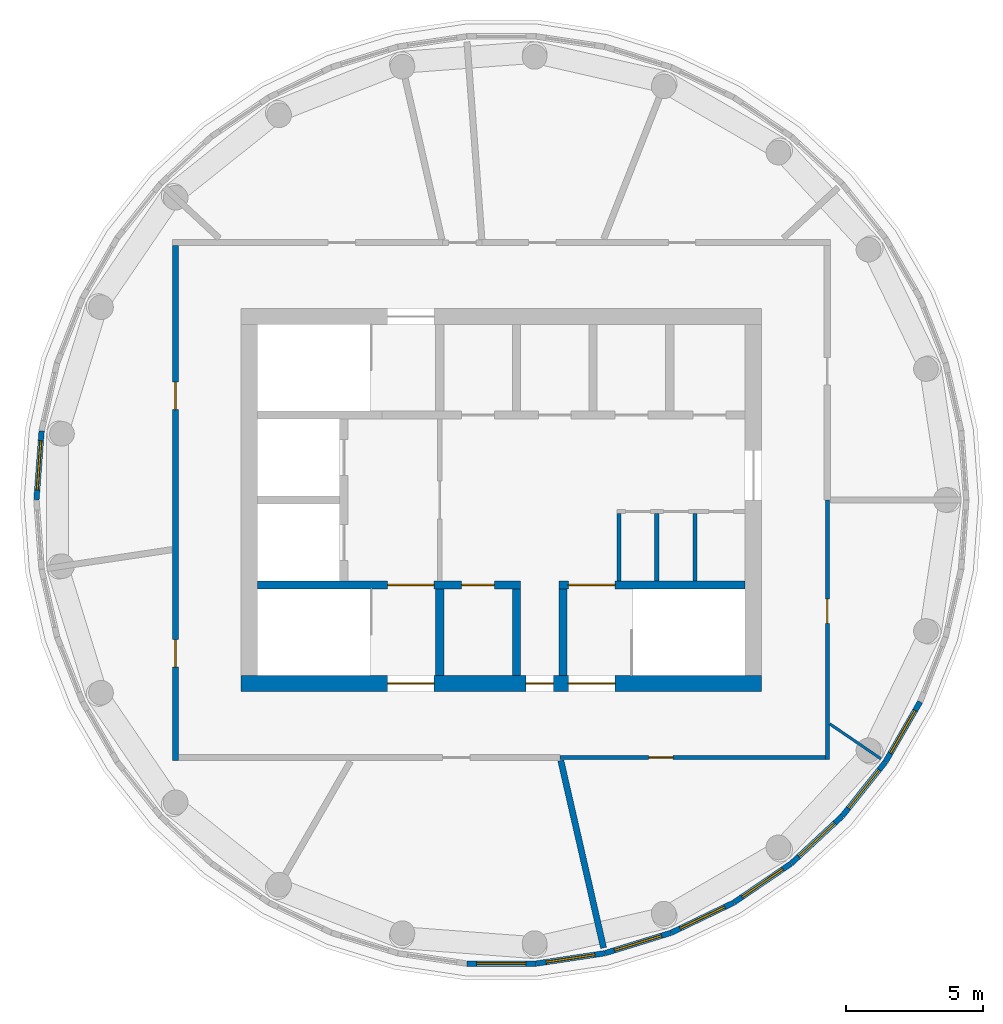
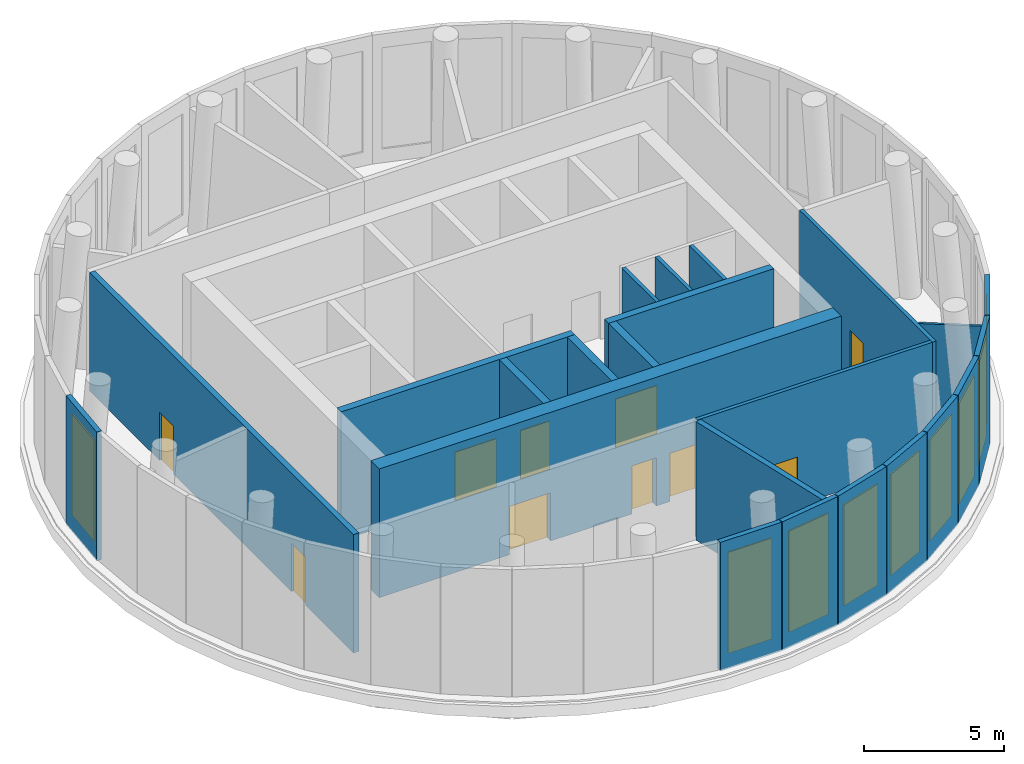
# One storey, part 2 of 6: 23 walls, 10 doors, 9 windows, 19 openings.
"""IFC4 building model written with IfcOpenShell, lengths in metres."""

from ifc_helpers import new_model, si_unit, direction, frame, frame_2d, origin, place, context, subcontext, project, spatial, rectangle, extrude, material, layer, layer_set, type_object, element, fill, save


model = new_model("IFC4")

# Units and contexts
model_context = context("Model", 3, precision=1e-05, world=origin(), true_north=direction((0.0, 1.0)))
body_context = subcontext(model_context, "Body", "Model", "MODEL_VIEW")
ifc_project = project(units=[si_unit("LENGTHUNIT", "METRE"), si_unit("AREAUNIT", "SQUARE_METRE"), si_unit("VOLUMEUNIT", "CUBIC_METRE"), si_unit("PLANEANGLEUNIT", "RADIAN"), si_unit("MASSUNIT", "GRAM", prefix="KILO")], contexts=[model_context])

# Site, building, storey
site_placement = place(None, origin())
site = spatial("IfcSite", under=ifc_project, at=site_placement, CompositionType="ELEMENT")
building_placement = place(site_placement, origin())
building = spatial("IfcBuilding", under=site, at=building_placement, Name="Tracery Tower", CompositionType="ELEMENT")
storey_placement = place(building_placement, frame((0.0, 0.0, 358.199951171875)))
storey = spatial("IfcBuildingStorey", under=building, at=storey_placement, Name="L91 Plant", CompositionType="ELEMENT", Elevation=358.199951171875)

# Walls
ifc_material_1 = material(Name="Plasterboard on steel studs", Category="steel")
ifc_layer_1 = layer(ifc_material_1, 0.14990234375)
ifc_layer_set_1 = layer_set([ifc_layer_1], Name="Core room partition 150")
wall_type_1 = type_object("IfcWallType", Name="Core room partition 150", PredefinedType="SOLIDWALL", material=ifc_layer_set_1)
for number, where, z_axis, x_axis, name in (
    (1, (4.300048828125, -2.949951171875, 0.0), (0.0, 0.0, 1.0), (0.0, 1.0, 0.0), "L91 Plant slot W"),
    (2, (5.675048828125, -2.949951171875, 0.0), (0.0, 0.0, 1.0), (0.0, 1.0, 0.0), "L91 Plant slot sep 1"),
    (3, (7.074951171875, -2.949951171875, 0.0), (0.0, 0.0, 1.0), (0.0, 1.0, 0.0), "L91 Plant slot sep 2"),
):
    element("IfcWall", number, at=place(storey_placement, frame(where, z_axis=z_axis, x_axis=x_axis)), inside=storey, type_object=wall_type_1, Name=name, PredefinedType="SOLIDWALL", context=body_context, shape_type="SweptSolid", body=[
        extrude(rectangle(XDim=2.449951171875, YDim=0.14990234375, at=frame_2d((1.22509765625, 0.0))), origin(), (0.0, 0.0, 1.0), 5.60009765625),
    ])

# Wall, openings, doors
ifc_material_2 = material(Name="Concrete C40/50", Category="concrete")
ifc_layer_2 = layer(ifc_material_2, 0.60009765625)
ifc_layer_set_2 = layer_set([ifc_layer_2], Name="Core wall 600 C40")
wall_type_2 = type_object("IfcWallType", Name="Core wall 600 C40", PredefinedType="SOLIDWALL", material=ifc_layer_set_2)
wall_1_placement = place(storey_placement, frame((-9.5, -6.699951171875, 0.0), z_axis=(0.0, 0.0, 1.0), x_axis=(1.0, 0.0, 0.0)))
wall_1 = element("IfcWall", 4, at=wall_1_placement, inside=storey, type_object=wall_type_2, Name="L91 Plant outer S", PredefinedType="SOLIDWALL", context=body_context, shape_type="SweptSolid", body=[
    extrude(rectangle(XDim=19.0, YDim=0.60009765625, at=frame_2d((9.5, 0.0))), origin(), (0.0, 0.0, 1.0), 5.60009765625),
])
opening_1_placement = place(wall_1_placement, frame((10.39990234375, 0.0, 0.0)))
opening_1 = element("IfcOpeningElement", 5, at=opening_1_placement, cuts=wall_1, Name="Opening KD16", PredefinedType="OPENING", context=body_context, shape_type="SweptSolid", body=[
    extrude(rectangle(XDim=1.0, YDim=2.10009765625, at=frame_2d((0.5, 1.050048828125))), frame((0.0, 0.300048828125, 0.0), z_axis=(0.0, -1.0, 0.0), x_axis=(1.0, 0.0, 0.0)), (0.0, 0.0, 1.0), 0.60009765625),
])
opening_2_placement = place(wall_1_placement, frame((5.35009765625, 0.0, 0.0)))
opening_2 = element("IfcOpeningElement", 6, at=opening_2_placement, cuts=wall_1, Name="Opening KD3", PredefinedType="OPENING", context=body_context, shape_type="SweptSolid", body=[
    extrude(rectangle(XDim=1.699951171875, YDim=2.10009765625, at=frame_2d((0.85009765625, 1.050048828125))), frame((0.0, 0.300048828125, 0.0), z_axis=(0.0, -1.0, 0.0), x_axis=(1.0, 0.0, 0.0)), (0.0, 0.0, 1.0), 0.60009765625),
])
opening_3_placement = place(wall_1_placement, frame((11.949951171875, 0.0, 0.0)))
opening_3 = element("IfcOpeningElement", 7, at=opening_3_placement, cuts=wall_1, Name="Opening KD3", PredefinedType="OPENING", context=body_context, shape_type="SweptSolid", body=[
    extrude(rectangle(XDim=1.699951171875, YDim=2.10009765625, at=frame_2d((0.85009765625, 1.050048828125))), frame((0.0, 0.300048828125, 0.0), z_axis=(0.0, -1.0, 0.0), x_axis=(1.0, 0.0, 0.0)), (0.0, 0.0, 1.0), 0.60009765625),
])
ifc_material_3 = material(Name="Steel fire door", Category="steel")
door_type_1 = type_object("IfcDoorType", Name="Core exit door 1000", OperationType="NOTDEFINED", PredefinedType="DOOR", material=ifc_material_3)
door_1_placement = place(opening_1_placement, origin())
door_1 = element("IfcDoor", 8, at=door_1_placement, inside=storey, type_object=door_type_1, Name="Core exit door", OperationType="SINGLE_SWING_LEFT", OverallHeight=2.10009765625, OverallWidth=1.0, PredefinedType="DOOR", context=body_context, shape_type="SweptSolid", body=[
    extrude(rectangle(XDim=1.0, YDim=2.10009765625, at=frame_2d((0.5, 1.050048828125))), frame((0.0, 0.02490234375, 0.0), z_axis=(0.0, -1.0, 0.0), x_axis=(1.0, 0.0, 0.0)), (0.0, 0.0, 1.0), 0.050048828125),
])
fill(opening_1, door_1)
ifc_material_4 = material(Name="Steel fire door", Category="steel")
door_type_2 = type_object("IfcDoorType", Name="Core stair door 1700 double", OperationType="NOTDEFINED", PredefinedType="DOOR", material=ifc_material_4)
door_2_placement = place(opening_2_placement, origin())
door_2 = element("IfcDoor", 9, at=door_2_placement, inside=storey, type_object=door_type_2, Name="Stair door ST1 exit", OperationType="DOUBLE_DOOR_SINGLE_SWING", OverallHeight=2.10009765625, OverallWidth=1.699951171875, PredefinedType="DOOR", context=body_context, shape_type="SweptSolid", body=[
    extrude(rectangle(XDim=1.699951171875, YDim=2.10009765625, at=frame_2d((0.85009765625, 1.050048828125))), frame((0.0, 0.02490234375, 0.0), z_axis=(0.0, -1.0, 0.0), x_axis=(1.0, 0.0, 0.0)), (0.0, 0.0, 1.0), 0.050048828125),
])
fill(opening_2, door_2)
door_3_placement = place(opening_3_placement, origin())
door_3 = element("IfcDoor", 10, at=door_3_placement, inside=storey, type_object=door_type_2, Name="Stair door ST2 exit", OperationType="DOUBLE_DOOR_SINGLE_SWING", OverallHeight=2.10009765625, OverallWidth=1.699951171875, PredefinedType="DOOR", context=body_context, shape_type="SweptSolid", body=[
    extrude(rectangle(XDim=1.699951171875, YDim=2.10009765625, at=frame_2d((0.85009765625, 1.050048828125))), frame((0.0, 0.02490234375, 0.0), z_axis=(0.0, -1.0, 0.0), x_axis=(1.0, 0.0, 0.0)), (0.0, 0.0, 1.0), 0.050048828125),
])
fill(opening_3, door_3)

# Wall, opening, door
ifc_material_5 = material(Name="Plasterboard on steel studs", Category="steel")
ifc_layer_3 = layer(ifc_material_5, 0.14990234375)
ifc_layer_set_3 = layer_set([ifc_layer_3], Name="Corridor partition 150")
wall_type_3 = type_object("IfcWallType", Name="Corridor partition 150", PredefinedType="PARTITIONING", material=ifc_layer_set_3)
wall_2_placement = place(storey_placement, frame((2.1455078125, -9.39990234375, 0.0), z_axis=(0.0, 0.0, 1.0), x_axis=(1.0, 0.0, 0.0)))
wall_2 = element("IfcWall", 11, at=wall_2_placement, inside=storey, type_object=wall_type_3, Name="Corridor partition 150", PredefinedType="PARTITIONING", context=body_context, shape_type="SweptSolid", body=[
    extrude(rectangle(XDim=9.679443359375, YDim=0.14990234375, at=frame_2d((4.83984375, 0.0))), origin(), (0.0, 0.0, 1.0), 5.150146484375),
])
opening_4_placement = place(wall_2_placement, frame((3.227294921875, 0.0, 0.0)))
opening_4 = element("IfcOpeningElement", 12, at=opening_4_placement, cuts=wall_2, Name="Opening SB-P91-09", PredefinedType="OPENING", context=body_context, shape_type="SweptSolid", body=[
    extrude(rectangle(XDim=0.89990234375, YDim=2.10009765625, at=frame_2d((0.449951171875, 1.050048828125))), frame((0.0, 0.074951171875, 0.0), z_axis=(0.0, -1.0, 0.0), x_axis=(1.0, 0.0, 0.0)), (0.0, 0.0, 1.0), 0.14990234375),
])
ifc_material_6 = material(Name="Steel fire door", Category="steel")
door_type_3 = type_object("IfcDoorType", Name="Store door 900", OperationType="NOTDEFINED", PredefinedType="DOOR", material=ifc_material_6)
door_4_placement = place(opening_4_placement, origin())
door_4 = element("IfcDoor", 13, at=door_4_placement, inside=storey, type_object=door_type_3, Name="Store door 900", OperationType="SINGLE_SWING_LEFT", OverallHeight=2.10009765625, OverallWidth=0.89990234375, PredefinedType="DOOR", context=body_context, shape_type="SweptSolid", body=[
    extrude(rectangle(XDim=0.89990234375, YDim=2.10009765625, at=frame_2d((0.449951171875, 1.050048828125))), frame((0.0, 0.02490234375, 0.0), z_axis=(0.0, -1.0, 0.0), x_axis=(1.0, 0.0, 0.0)), (0.0, 0.0, 1.0), 0.050048828125),
])
fill(opening_4, door_4)

wall_3_placement = place(storey_placement, frame((11.89990234375, -9.47509765625, 0.0), z_axis=(0.0, 0.0, 1.0), x_axis=(0.0, 1.0, 0.0)))
wall_3 = element("IfcWall", 14, at=wall_3_placement, inside=storey, type_object=wall_type_3, Name="Corridor partition 150", PredefinedType="PARTITIONING", context=body_context, shape_type="SweptSolid", body=[
    extrude(rectangle(XDim=9.47509765625, YDim=0.14990234375, at=frame_2d((4.737548828125, 0.0))), origin(), (0.0, 0.0, 1.0), 5.150146484375),
])
opening_5_placement = place(wall_3_placement, frame((4.96826171875, 0.0, 0.0)))
opening_5 = element("IfcOpeningElement", 15, at=opening_5_placement, cuts=wall_3, Name="Opening SB-P91-10", PredefinedType="OPENING", context=body_context, shape_type="SweptSolid", body=[
    extrude(rectangle(XDim=0.89990234375, YDim=2.10009765625, at=frame_2d((0.449951171875, 1.050048828125))), frame((0.0, 0.074951171875, 0.0), z_axis=(0.0, -1.0, 0.0), x_axis=(1.0, 0.0, 0.0)), (0.0, 0.0, 1.0), 0.14990234375),
])
door_5_placement = place(opening_5_placement, origin())
door_5 = element("IfcDoor", 16, at=door_5_placement, inside=storey, type_object=door_type_3, Name="Store door 900", OperationType="SINGLE_SWING_LEFT", OverallHeight=2.10009765625, OverallWidth=0.89990234375, PredefinedType="DOOR", context=body_context, shape_type="SweptSolid", body=[
    extrude(rectangle(XDim=0.89990234375, YDim=2.10009765625, at=frame_2d((0.449951171875, 1.050048828125))), frame((0.0, 0.02490234375, 0.0), z_axis=(0.0, -1.0, 0.0), x_axis=(1.0, 0.0, 0.0)), (0.0, 0.0, 1.0), 0.050048828125),
])
fill(opening_5, door_5)

# Wall, opening, window
ifc_material_7 = material(Name="Aluminium louvre, bronze anodised", Category="aluminium")
ifc_layer_4 = layer(ifc_material_7, 0.199951171875)
ifc_layer_set_4 = layer_set([ifc_layer_4], Name="Plant drum louvre wall 200")
wall_type_4 = type_object("IfcWallType", Name="Plant drum louvre wall 200", PredefinedType="STANDARD", material=ifc_layer_set_4)
wall_4_placement = place(storey_placement, frame((-16.782958984375, 2.52099609375, 0.0), z_axis=(0.0, 0.0, 1.0), x_axis=(-0.074710452078, -0.997205268914, 0.0)))
wall_4 = element("IfcWall", 17, at=wall_4_placement, inside=storey, type_object=wall_type_4, Name="Plant drum louvre wall 21", PredefinedType="STANDARD", context=body_context, shape_type="SweptSolid", body=[
    extrude(rectangle(XDim=2.51953125, YDim=0.199951171875, at=frame_2d((1.259765625, 0.0))), origin(), (0.0, 0.0, 1.0), 5.60009765625),
])
opening_6_placement = place(wall_4_placement, frame((0.35986328125, 0.0, 0.60009765625)))
opening_6 = element("IfcOpeningElement", 18, at=opening_6_placement, cuts=wall_4, Name="Opening EW861", PredefinedType="OPENING", context=body_context, shape_type="SweptSolid", body=[
    extrude(rectangle(XDim=1.800048828125, YDim=4.39990234375, at=frame_2d((0.89990234375, 2.199951171875))), frame((0.0, 0.10009765625, 0.0), z_axis=(0.0, -1.0, 0.0), x_axis=(1.0, 0.0, 0.0)), (0.0, 0.0, 1.0), 0.199951171875),
])
ifc_material_8 = material(Name="Aluminium louvre, bronze anodised", Category="aluminium")
window_type = type_object("IfcWindowType", Name="Plant drum louvre 1800 x 4400", PartitioningType="SINGLE_PANEL", PredefinedType="WINDOW", material=ifc_material_8)
window_1_placement = place(opening_6_placement, origin())
window_1 = element("IfcWindow", 19, at=window_1_placement, inside=storey, type_object=window_type, Name="Plant drum louvre EW861", OverallHeight=4.39990234375, OverallWidth=1.800048828125, PartitioningType="SINGLE_PANEL", PredefinedType="WINDOW", context=body_context, shape_type="SweptSolid", body=[
    extrude(rectangle(XDim=1.800048828125, YDim=4.39990234375, at=frame_2d((0.89990234375, 2.199951171875))), frame((0.0, 0.030029296875, 0.0), z_axis=(0.0, -1.0, 0.0), x_axis=(1.0, 0.0, 0.0)), (0.0, 0.0, 1.0), 0.06005859375),
])
fill(opening_6, window_1)

wall_5_placement = place(storey_placement, frame((-1.259765625, -16.924560546875, 0.0), z_axis=(0.0, 0.0, 1.0), x_axis=(1.0, 0.0, 0.0)))
wall_5 = element("IfcWall", 20, at=wall_5_placement, inside=storey, type_object=wall_type_4, Name="Plant drum louvre wall 32", PredefinedType="STANDARD", context=body_context, shape_type="SweptSolid", body=[
    extrude(rectangle(XDim=2.51953125, YDim=0.199951171875, at=frame_2d((1.259765625, 0.0))), origin(), (0.0, 0.0, 1.0), 5.60009765625),
])
opening_7_placement = place(wall_5_placement, frame((0.35986328125, 0.0, 0.60009765625)))
opening_7 = element("IfcOpeningElement", 21, at=opening_7_placement, cuts=wall_5, Name="Opening EW872", PredefinedType="OPENING", context=body_context, shape_type="SweptSolid", body=[
    extrude(rectangle(XDim=1.800048828125, YDim=4.39990234375, at=frame_2d((0.89990234375, 2.199951171875))), frame((0.0, 0.10009765625, 0.0), z_axis=(0.0, -1.0, 0.0), x_axis=(1.0, 0.0, 0.0)), (0.0, 0.0, 1.0), 0.199951171875),
])
window_2_placement = place(opening_7_placement, origin())
window_2 = element("IfcWindow", 22, at=window_2_placement, inside=storey, type_object=window_type, Name="Plant drum louvre EW872", OverallHeight=4.39990234375, OverallWidth=1.800048828125, PartitioningType="SINGLE_PANEL", PredefinedType="WINDOW", context=body_context, shape_type="SweptSolid", body=[
    extrude(rectangle(XDim=1.800048828125, YDim=4.39990234375, at=frame_2d((0.89990234375, 2.199951171875))), frame((0.0, 0.030029296875, 0.0), z_axis=(0.0, -1.0, 0.0), x_axis=(1.0, 0.0, 0.0)), (0.0, 0.0, 1.0), 0.06005859375),
])
fill(opening_7, window_2)

wall_6_placement = place(storey_placement, frame((1.276611328125, -16.923095703125, 0.0), z_axis=(0.0, 0.0, 1.0), x_axis=(0.98883520928, 0.149013183605, 0.0)))
wall_6 = element("IfcWall", 23, at=wall_6_placement, inside=storey, type_object=wall_type_4, Name="Plant drum louvre wall 33", PredefinedType="STANDARD", context=body_context, shape_type="SweptSolid", body=[
    extrude(rectangle(XDim=2.519775390625, YDim=0.199951171875, at=frame_2d((1.259765625, 0.0))), origin(), (0.0, 0.0, 1.0), 5.60009765625),
])
opening_8_placement = place(wall_6_placement, frame((0.35986328125, 0.0, 0.60009765625)))
opening_8 = element("IfcOpeningElement", 24, at=opening_8_placement, cuts=wall_6, Name="Opening EW873", PredefinedType="OPENING", context=body_context, shape_type="SweptSolid", body=[
    extrude(rectangle(XDim=1.800048828125, YDim=4.39990234375, at=frame_2d((0.89990234375, 2.199951171875))), frame((0.0, 0.10009765625, 0.0), z_axis=(0.0, -1.0, 0.0), x_axis=(1.0, 0.0, 0.0)), (0.0, 0.0, 1.0), 0.199951171875),
])
window_3_placement = place(opening_8_placement, origin())
window_3 = element("IfcWindow", 25, at=window_3_placement, inside=storey, type_object=window_type, Name="Plant drum louvre EW873", OverallHeight=4.39990234375, OverallWidth=1.800048828125, PartitioningType="SINGLE_PANEL", PredefinedType="WINDOW", context=body_context, shape_type="SweptSolid", body=[
    extrude(rectangle(XDim=1.800048828125, YDim=4.39990234375, at=frame_2d((0.89990234375, 2.199951171875))), frame((0.0, 0.030029296875, 0.0), z_axis=(0.0, -1.0, 0.0), x_axis=(1.0, 0.0, 0.0)), (0.0, 0.0, 1.0), 0.06005859375),
])
fill(opening_8, window_3)

wall_7_placement = place(storey_placement, frame((3.78466796875, -16.5439453125, 0.0), z_axis=(0.0, 0.0, 1.0), x_axis=(0.955573464233, 0.294753039769, 0.0)))
wall_7 = element("IfcWall", 26, at=wall_7_placement, inside=storey, type_object=wall_type_4, Name="Plant drum louvre wall 34", PredefinedType="STANDARD", context=body_context, shape_type="SweptSolid", body=[
    extrude(rectangle(XDim=2.519775390625, YDim=0.199951171875, at=frame_2d((1.259765625, 0.0))), origin(), (0.0, 0.0, 1.0), 5.60009765625),
])
opening_9_placement = place(wall_7_placement, frame((0.35986328125, 0.0, 0.60009765625)))
opening_9 = element("IfcOpeningElement", 27, at=opening_9_placement, cuts=wall_7, Name="Opening EW874", PredefinedType="OPENING", context=body_context, shape_type="SweptSolid", body=[
    extrude(rectangle(XDim=1.800048828125, YDim=4.39990234375, at=frame_2d((0.89990234375, 2.199951171875))), frame((0.0, 0.10009765625, 0.0), z_axis=(0.0, -1.0, 0.0), x_axis=(1.0, 0.0, 0.0)), (0.0, 0.0, 1.0), 0.199951171875),
])
window_4_placement = place(opening_9_placement, origin())
window_4 = element("IfcWindow", 28, at=window_4_placement, inside=storey, type_object=window_type, Name="Plant drum louvre EW874", OverallHeight=4.39990234375, OverallWidth=1.800048828125, PartitioningType="SINGLE_PANEL", PredefinedType="WINDOW", context=body_context, shape_type="SweptSolid", body=[
    extrude(rectangle(XDim=1.800048828125, YDim=4.39990234375, at=frame_2d((0.89990234375, 2.199951171875))), frame((0.0, 0.030029296875, 0.0), z_axis=(0.0, -1.0, 0.0), x_axis=(1.0, 0.0, 0.0)), (0.0, 0.0, 1.0), 0.06005859375),
])
fill(opening_9, window_4)

wall_8_placement = place(storey_placement, frame((6.208251953125, -15.794921875, 0.0), z_axis=(0.0, 0.0, 1.0), x_axis=(0.900994655578, 0.433830186387, 0.0)))
wall_8 = element("IfcWall", 29, at=wall_8_placement, inside=storey, type_object=wall_type_4, Name="Plant drum louvre wall 35", PredefinedType="STANDARD", context=body_context, shape_type="SweptSolid", body=[
    extrude(rectangle(XDim=2.51953125, YDim=0.199951171875, at=frame_2d((1.259765625, 0.0))), origin(), (0.0, 0.0, 1.0), 5.60009765625),
])
opening_10_placement = place(wall_8_placement, frame((0.35986328125, 0.0, 0.60009765625)))
opening_10 = element("IfcOpeningElement", 30, at=opening_10_placement, cuts=wall_8, Name="Opening EW875", PredefinedType="OPENING", context=body_context, shape_type="SweptSolid", body=[
    extrude(rectangle(XDim=1.800048828125, YDim=4.39990234375, at=frame_2d((0.89990234375, 2.199951171875))), frame((0.0, 0.10009765625, 0.0), z_axis=(0.0, -1.0, 0.0), x_axis=(1.0, 0.0, 0.0)), (0.0, 0.0, 1.0), 0.199951171875),
])
window_5_placement = place(opening_10_placement, origin())
window_5 = element("IfcWindow", 31, at=window_5_placement, inside=storey, type_object=window_type, Name="Plant drum louvre EW875", OverallHeight=4.39990234375, OverallWidth=1.800048828125, PartitioningType="SINGLE_PANEL", PredefinedType="WINDOW", context=body_context, shape_type="SweptSolid", body=[
    extrude(rectangle(XDim=1.800048828125, YDim=4.39990234375, at=frame_2d((0.89990234375, 2.199951171875))), frame((0.0, 0.030029296875, 0.0), z_axis=(0.0, -1.0, 0.0), x_axis=(1.0, 0.0, 0.0)), (0.0, 0.0, 1.0), 0.06005859375),
])
fill(opening_10, window_5)

wall_9_placement = place(storey_placement, frame((8.492919921875, -14.693359375, 0.0), z_axis=(0.0, 0.0, 1.0), x_axis=(0.826221192882, 0.563345844426, 0.0)))
wall_9 = element("IfcWall", 32, at=wall_9_placement, inside=storey, type_object=wall_type_4, Name="Plant drum louvre wall 36", PredefinedType="STANDARD", context=body_context, shape_type="SweptSolid", body=[
    extrude(rectangle(XDim=2.51953125, YDim=0.199951171875, at=frame_2d((1.259765625, 0.0))), origin(), (0.0, 0.0, 1.0), 5.60009765625),
])
opening_11_placement = place(wall_9_placement, frame((0.35986328125, 0.0, 0.60009765625)))
opening_11 = element("IfcOpeningElement", 33, at=opening_11_placement, cuts=wall_9, Name="Opening EW876", PredefinedType="OPENING", context=body_context, shape_type="SweptSolid", body=[
    extrude(rectangle(XDim=1.800048828125, YDim=4.39990234375, at=frame_2d((0.89990234375, 2.199951171875))), frame((0.0, 0.10009765625, 0.0), z_axis=(0.0, -1.0, 0.0), x_axis=(1.0, 0.0, 0.0)), (0.0, 0.0, 1.0), 0.199951171875),
])
window_6_placement = place(opening_11_placement, origin())
window_6 = element("IfcWindow", 34, at=window_6_placement, inside=storey, type_object=window_type, Name="Plant drum louvre EW876", OverallHeight=4.39990234375, OverallWidth=1.800048828125, PartitioningType="SINGLE_PANEL", PredefinedType="WINDOW", context=body_context, shape_type="SweptSolid", body=[
    extrude(rectangle(XDim=1.800048828125, YDim=4.39990234375, at=frame_2d((0.89990234375, 2.199951171875))), frame((0.0, 0.030029296875, 0.0), z_axis=(0.0, -1.0, 0.0), x_axis=(1.0, 0.0, 0.0)), (0.0, 0.0, 1.0), 0.06005859375),
])
fill(opening_11, window_6)

wall_10_placement = place(storey_placement, frame((10.587890625, -13.263427734375, 0.0), z_axis=(0.0, 0.0, 1.0), x_axis=(0.733062600056, 0.68016117531, 0.0)))
wall_10 = element("IfcWall", 35, at=wall_10_placement, inside=storey, type_object=wall_type_4, Name="Plant drum louvre wall 37", PredefinedType="STANDARD", context=body_context, shape_type="SweptSolid", body=[
    extrude(rectangle(XDim=2.519775390625, YDim=0.199951171875, at=frame_2d((1.259765625, 0.0))), origin(), (0.0, 0.0, 1.0), 5.60009765625),
])
opening_12_placement = place(wall_10_placement, frame((0.35986328125, 0.0, 0.60009765625)))
opening_12 = element("IfcOpeningElement", 36, at=opening_12_placement, cuts=wall_10, Name="Opening EW877", PredefinedType="OPENING", context=body_context, shape_type="SweptSolid", body=[
    extrude(rectangle(XDim=1.800048828125, YDim=4.39990234375, at=frame_2d((0.89990234375, 2.199951171875))), frame((0.0, 0.10009765625, 0.0), z_axis=(0.0, -1.0, 0.0), x_axis=(1.0, 0.0, 0.0)), (0.0, 0.0, 1.0), 0.199951171875),
])
window_7_placement = place(opening_12_placement, origin())
window_7 = element("IfcWindow", 37, at=window_7_placement, inside=storey, type_object=window_type, Name="Plant drum louvre EW877", OverallHeight=4.39990234375, OverallWidth=1.800048828125, PartitioningType="SINGLE_PANEL", PredefinedType="WINDOW", context=body_context, shape_type="SweptSolid", body=[
    extrude(rectangle(XDim=1.800048828125, YDim=4.39990234375, at=frame_2d((0.89990234375, 2.199951171875))), frame((0.0, 0.030029296875, 0.0), z_axis=(0.0, -1.0, 0.0), x_axis=(1.0, 0.0, 0.0)), (0.0, 0.0, 1.0), 0.06005859375),
])
fill(opening_12, window_7)

wall_11_placement = place(storey_placement, frame((12.446533203125, -11.537109375, 0.0), z_axis=(0.0, 0.0, 1.0), x_axis=(0.623548124622, 0.781784968057, 0.0)))
wall_11 = element("IfcWall", 38, at=wall_11_placement, inside=storey, type_object=wall_type_4, Name="Plant drum louvre wall 38", PredefinedType="STANDARD", context=body_context, shape_type="SweptSolid", body=[
    extrude(rectangle(XDim=2.51953125, YDim=0.199951171875, at=frame_2d((1.259765625, 0.0))), origin(), (0.0, 0.0, 1.0), 5.60009765625),
])
opening_13_placement = place(wall_11_placement, frame((0.35986328125, 0.0, 0.60009765625)))
opening_13 = element("IfcOpeningElement", 39, at=opening_13_placement, cuts=wall_11, Name="Opening EW878", PredefinedType="OPENING", context=body_context, shape_type="SweptSolid", body=[
    extrude(rectangle(XDim=1.800048828125, YDim=4.39990234375, at=frame_2d((0.89990234375, 2.199951171875))), frame((0.0, 0.10009765625, 0.0), z_axis=(0.0, -1.0, 0.0), x_axis=(1.0, 0.0, 0.0)), (0.0, 0.0, 1.0), 0.199951171875),
])
window_8_placement = place(opening_13_placement, origin())
window_8 = element("IfcWindow", 40, at=window_8_placement, inside=storey, type_object=window_type, Name="Plant drum louvre EW878", OverallHeight=4.39990234375, OverallWidth=1.800048828125, PartitioningType="SINGLE_PANEL", PredefinedType="WINDOW", context=body_context, shape_type="SweptSolid", body=[
    extrude(rectangle(XDim=1.800048828125, YDim=4.39990234375, at=frame_2d((0.89990234375, 2.199951171875))), frame((0.0, 0.030029296875, 0.0), z_axis=(0.0, -1.0, 0.0), x_axis=(1.0, 0.0, 0.0)), (0.0, 0.0, 1.0), 0.06005859375),
])
fill(opening_13, window_8)

wall_12_placement = place(storey_placement, frame((14.027099609375, -9.55322265625, 0.0), z_axis=(0.0, 0.0, 1.0), x_axis=(0.499974077718, 0.866040369504, 0.0)))
wall_12 = element("IfcWall", 41, at=wall_12_placement, inside=storey, type_object=wall_type_4, Name="Plant drum louvre wall 39", PredefinedType="STANDARD", context=body_context, shape_type="SweptSolid", body=[
    extrude(rectangle(XDim=2.519775390625, YDim=0.199951171875, at=frame_2d((1.259765625, 0.0))), origin(), (0.0, 0.0, 1.0), 5.60009765625),
])
opening_14_placement = place(wall_12_placement, frame((0.35986328125, 0.0, 0.60009765625)))
opening_14 = element("IfcOpeningElement", 42, at=opening_14_placement, cuts=wall_12, Name="Opening EW879", PredefinedType="OPENING", context=body_context, shape_type="SweptSolid", body=[
    extrude(rectangle(XDim=1.800048828125, YDim=4.39990234375, at=frame_2d((0.89990234375, 2.199951171875))), frame((0.0, 0.10009765625, 0.0), z_axis=(0.0, -1.0, 0.0), x_axis=(1.0, 0.0, 0.0)), (0.0, 0.0, 1.0), 0.199951171875),
])
window_9_placement = place(opening_14_placement, origin())
window_9 = element("IfcWindow", 43, at=window_9_placement, inside=storey, type_object=window_type, Name="Plant drum louvre EW879", OverallHeight=4.39990234375, OverallWidth=1.800048828125, PartitioningType="SINGLE_PANEL", PredefinedType="WINDOW", context=body_context, shape_type="SweptSolid", body=[
    extrude(rectangle(XDim=1.800048828125, YDim=4.39990234375, at=frame_2d((0.89990234375, 2.199951171875))), frame((0.0, 0.030029296875, 0.0), z_axis=(0.0, -1.0, 0.0), x_axis=(1.0, 0.0, 0.0)), (0.0, 0.0, 1.0), 0.06005859375),
])
fill(opening_14, window_9)

# Wall, openings, doors
ifc_material_9 = material(Name="Concrete blockwork", Category="masonry")
ifc_layer_5 = layer(ifc_material_9, 0.22509765625)
ifc_layer_set_5 = layer_set([ifc_layer_5], Name="Plant room block wall 225")
wall_type_5 = type_object("IfcWallType", Name="Plant room block wall 225", PredefinedType="PARTITIONING", material=ifc_layer_set_5)
wall_13_placement = place(storey_placement, frame((-11.89990234375, 9.28759765625, 0.0), z_axis=(0.0, 0.0, 1.0), x_axis=(0.0, -1.0, 0.0)))
wall_13 = element("IfcWall", 44, at=wall_13_placement, inside=storey, type_object=wall_type_5, Name="Plant room block wall 225", PredefinedType="PARTITIONING", context=body_context, shape_type="SweptSolid", body=[
    extrude(rectangle(XDim=18.800048828125, YDim=0.22509765625, at=frame_2d((9.39990234375, 0.0))), origin(), (0.0, 0.0, 1.0), 5.150146484375),
])
opening_15_placement = place(wall_13_placement, frame((4.984375, 0.0, 0.0)))
opening_15 = element("IfcOpeningElement", 45, at=opening_15_placement, cuts=wall_13, Name="Opening SB-P91-06", PredefinedType="OPENING", context=body_context, shape_type="SweptSolid", body=[
    extrude(rectangle(XDim=1.0, YDim=2.10009765625, at=frame_2d((0.5, 1.050048828125))), frame((0.0, 0.112548828125, 0.0), z_axis=(0.0, -1.0, 0.0), x_axis=(1.0, 0.0, 0.0)), (0.0, 0.0, 1.0), 0.22509765625),
])
opening_16_placement = place(wall_13_placement, frame((14.38427734375, 0.0, 0.0)))
opening_16 = element("IfcOpeningElement", 46, at=opening_16_placement, cuts=wall_13, Name="Opening SB-P91-07", PredefinedType="OPENING", context=body_context, shape_type="SweptSolid", body=[
    extrude(rectangle(XDim=1.0, YDim=2.10009765625, at=frame_2d((0.5, 1.050048828125))), frame((0.0, 0.112548828125, 0.0), z_axis=(0.0, -1.0, 0.0), x_axis=(1.0, 0.0, 0.0)), (0.0, 0.0, 1.0), 0.22509765625),
])
ifc_material_10 = material(Name="Steel fire door", Category="steel")
door_type_4 = type_object("IfcDoorType", Name="Plant room door 1000", OperationType="NOTDEFINED", PredefinedType="DOOR", material=ifc_material_10)
door_6_placement = place(opening_15_placement, origin())
door_6 = element("IfcDoor", 47, at=door_6_placement, inside=storey, type_object=door_type_4, Name="Plant room door 1000", OperationType="SINGLE_SWING_LEFT", OverallHeight=2.10009765625, OverallWidth=1.0, PredefinedType="DOOR", context=body_context, shape_type="SweptSolid", body=[
    extrude(rectangle(XDim=1.0, YDim=2.10009765625, at=frame_2d((0.5, 1.050048828125))), frame((0.0, 0.02490234375, 0.0), z_axis=(0.0, -1.0, 0.0), x_axis=(1.0, 0.0, 0.0)), (0.0, 0.0, 1.0), 0.050048828125),
])
fill(opening_15, door_6)
door_7_placement = place(opening_16_placement, origin())
door_7 = element("IfcDoor", 48, at=door_7_placement, inside=storey, type_object=door_type_4, Name="Plant room door 1000", OperationType="SINGLE_SWING_LEFT", OverallHeight=2.10009765625, OverallWidth=1.0, PredefinedType="DOOR", context=body_context, shape_type="SweptSolid", body=[
    extrude(rectangle(XDim=1.0, YDim=2.10009765625, at=frame_2d((0.5, 1.050048828125))), frame((0.0, 0.02490234375, 0.0), z_axis=(0.0, -1.0, 0.0), x_axis=(1.0, 0.0, 0.0)), (0.0, 0.0, 1.0), 0.050048828125),
])
fill(opening_16, door_7)

# Walls
wall_14_placement = place(storey_placement, frame((3.73193359375, -16.350830078125, 0.0), z_axis=(0.0, 0.0, 1.0), x_axis=(-0.222517634997, 0.974928665142, 0.0)))
element("IfcWall", 49, at=wall_14_placement, inside=storey, type_object=wall_type_5, Name="Plant room block wall 225", PredefinedType="PARTITIONING", context=body_context, shape_type="SweptSolid", body=[
    extrude(rectangle(XDim=7.01416015625, YDim=0.22509765625, at=frame_2d((3.507080078125, 0.0))), origin(), (0.0, 0.0, 1.0), 5.150146484375),
])
ifc_material_11 = material(Name="Concrete C40/50", Category="concrete")
ifc_layer_6 = layer(ifc_material_11, 0.300048828125)
ifc_layer_set_6 = layer_set([ifc_layer_6], Name="Shaft wall 300 C40")
wall_type_6 = type_object("IfcWallType", Name="Shaft wall 300 C40", PredefinedType="SOLIDWALL", material=ifc_layer_set_6)
wall_15_placement = place(storey_placement, frame((0.550048828125, -6.39990234375, 0.0), z_axis=(0.0, 0.0, 1.0), x_axis=(0.0, 1.0, 0.0)))
element("IfcWall", 50, at=wall_15_placement, inside=storey, type_object=wall_type_6, Name="L91 Plant OB2 E", PredefinedType="SOLIDWALL", context=body_context, shape_type="SweptSolid", body=[
    extrude(rectangle(XDim=3.14990234375, YDim=0.300048828125, at=frame_2d((1.574951171875, 0.0))), origin(), (0.0, 0.0, 1.0), 5.60009765625),
])

# Wall, openings, doors
ifc_material_12 = material(Name="Concrete C40/50", Category="concrete")
ifc_layer_7 = layer(ifc_material_12, 0.300048828125)
ifc_layer_set_7 = layer_set([ifc_layer_7], Name="Stair wall 300 C40")
wall_type_7 = type_object("IfcWallType", Name="Stair wall 300 C40", PredefinedType="SOLIDWALL", material=ifc_layer_set_7)
wall_16_placement = place(storey_placement, frame((-8.89990234375, -3.10009765625, 0.0), z_axis=(0.0, 0.0, 1.0), x_axis=(1.0, 0.0, 0.0)))
wall_16 = element("IfcWall", 51, at=wall_16_placement, inside=storey, type_object=wall_type_7, Name="L91 Plant row S", PredefinedType="SOLIDWALL", context=body_context, shape_type="SweptSolid", body=[
    extrude(rectangle(XDim=9.599853515625, YDim=0.300048828125, at=frame_2d((4.7998046875, 0.0))), origin(), (0.0, 0.0, 1.0), 5.60009765625),
])
opening_17_placement = place(wall_16_placement, frame((4.75, 0.0, 0.0)))
opening_17 = element("IfcOpeningElement", 52, at=opening_17_placement, cuts=wall_16, Name="Opening KD3", PredefinedType="OPENING", context=body_context, shape_type="SweptSolid", body=[
    extrude(rectangle(XDim=1.699951171875, YDim=2.10009765625, at=frame_2d((0.85009765625, 1.050048828125))), frame((0.0, 0.14990234375, 0.0), z_axis=(0.0, -1.0, 0.0), x_axis=(1.0, 0.0, 0.0)), (0.0, 0.0, 1.0), 0.300048828125),
])
opening_18_placement = place(wall_16_placement, frame((7.449951171875, 0.0, 0.0)))
opening_18 = element("IfcOpeningElement", 53, at=opening_18_placement, cuts=wall_16, Name="Opening KD41", PredefinedType="OPENING", context=body_context, shape_type="SweptSolid", body=[
    extrude(rectangle(XDim=1.199951171875, YDim=2.10009765625, at=frame_2d((0.60009765625, 1.050048828125))), frame((0.0, 0.14990234375, 0.0), z_axis=(0.0, -1.0, 0.0), x_axis=(1.0, 0.0, 0.0)), (0.0, 0.0, 1.0), 0.300048828125),
])
ifc_material_13 = material(Name="Steel fire door", Category="steel")
door_type_5 = type_object("IfcDoorType", Name="Core plant door 1200", OperationType="NOTDEFINED", PredefinedType="DOOR", material=ifc_material_13)
door_8_placement = place(opening_18_placement, origin())
door_8 = element("IfcDoor", 54, at=door_8_placement, inside=storey, type_object=door_type_5, Name="Machine room door OB2", OperationType="SINGLE_SWING_LEFT", OverallHeight=2.10009765625, OverallWidth=1.199951171875, PredefinedType="DOOR", context=body_context, shape_type="SweptSolid", body=[
    extrude(rectangle(XDim=1.199951171875, YDim=2.10009765625, at=frame_2d((0.60009765625, 1.050048828125))), frame((0.0, 0.02490234375, 0.0), z_axis=(0.0, -1.0, 0.0), x_axis=(1.0, 0.0, 0.0)), (0.0, 0.0, 1.0), 0.050048828125),
])
fill(opening_18, door_8)
door_9_placement = place(opening_17_placement, origin())
door_9 = element("IfcDoor", 55, at=door_9_placement, inside=storey, type_object=door_type_2, Name="Stair door ST1", OperationType="DOUBLE_DOOR_SINGLE_SWING", OverallHeight=2.10009765625, OverallWidth=1.699951171875, PredefinedType="DOOR", context=body_context, shape_type="SweptSolid", body=[
    extrude(rectangle(XDim=1.699951171875, YDim=2.10009765625, at=frame_2d((0.85009765625, 1.050048828125))), frame((0.0, 0.02490234375, 0.0), z_axis=(0.0, -1.0, 0.0), x_axis=(1.0, 0.0, 0.0)), (0.0, 0.0, 1.0), 0.050048828125),
])
fill(opening_17, door_9)

# Wall, opening, door
wall_17_placement = place(storey_placement, frame((2.10009765625, -3.10009765625, 0.0), z_axis=(0.0, 0.0, 1.0), x_axis=(1.0, 0.0, 0.0)))
wall_17 = element("IfcWall", 56, at=wall_17_placement, inside=storey, type_object=wall_type_7, Name="L91 Plant row S E", PredefinedType="SOLIDWALL", context=body_context, shape_type="SweptSolid", body=[
    extrude(rectangle(XDim=6.7998046875, YDim=0.300048828125, at=frame_2d((3.39990234375, 0.0))), origin(), (0.0, 0.0, 1.0), 5.60009765625),
])
opening_19_placement = place(wall_17_placement, frame((0.35009765625, 0.0, 0.0)))
opening_19 = element("IfcOpeningElement", 57, at=opening_19_placement, cuts=wall_17, Name="Opening KD3", PredefinedType="OPENING", context=body_context, shape_type="SweptSolid", body=[
    extrude(rectangle(XDim=1.699951171875, YDim=2.10009765625, at=frame_2d((0.85009765625, 1.050048828125))), frame((0.0, 0.14990234375, 0.0), z_axis=(0.0, -1.0, 0.0), x_axis=(1.0, 0.0, 0.0)), (0.0, 0.0, 1.0), 0.300048828125),
])
door_10_placement = place(opening_19_placement, origin())
door_10 = element("IfcDoor", 58, at=door_10_placement, inside=storey, type_object=door_type_2, Name="Stair door ST2", OperationType="DOUBLE_DOOR_SINGLE_SWING", OverallHeight=2.10009765625, OverallWidth=1.699951171875, PredefinedType="DOOR", context=body_context, shape_type="SweptSolid", body=[
    extrude(rectangle(XDim=1.699951171875, YDim=2.10009765625, at=frame_2d((0.85009765625, 1.050048828125))), frame((0.0, 0.02490234375, 0.0), z_axis=(0.0, -1.0, 0.0), x_axis=(1.0, 0.0, 0.0)), (0.0, 0.0, 1.0), 0.050048828125),
])
fill(opening_19, door_10)

# Walls
for number, where, z_axis, x_axis, name in (
    (59, (-2.25, -6.39990234375, 0.0), (0.0, 0.0, 1.0), (0.0, 1.0, 0.0), "L91 Plant ST1 E"),
    (60, (2.25, -6.39990234375, 0.0), (0.0, 0.0, 1.0), (0.0, 1.0, 0.0), "L91 Plant ST2 W"),
):
    element("IfcWall", number, at=place(storey_placement, frame(where, z_axis=z_axis, x_axis=x_axis)), inside=storey, type_object=wall_type_7, Name=name, PredefinedType="SOLIDWALL", context=body_context, shape_type="SweptSolid", body=[
        extrude(rectangle(XDim=3.14990234375, YDim=0.300048828125, at=frame_2d((1.574951171875, 0.0))), origin(), (0.0, 0.0, 1.0), 5.60009765625),
    ])
ifc_material_14 = material(Name="Plasterboard on steel studs", Category="steel")
ifc_layer_8 = layer(ifc_material_14, 0.10009765625)
ifc_layer_set_8 = layer_set([ifc_layer_8], Name="Stud partition 100")
wall_type_8 = type_object("IfcWallType", Name="Stud partition 100", PredefinedType="PARTITIONING", material=ifc_layer_set_8)
wall_18_placement = place(storey_placement, frame((13.857177734375, -9.447509765625, 0.0), z_axis=(0.0, 0.0, 1.0), x_axis=(-0.826291305261, 0.563243001599, 0.0)))
element("IfcWall", 61, at=wall_18_placement, inside=storey, type_object=wall_type_8, Name="Stud partition 100", PredefinedType="PARTITIONING", context=body_context, shape_type="SweptSolid", body=[
    extrude(rectangle(XDim=2.260986328125, YDim=0.10009765625, at=frame_2d((1.13037109375, 0.0))), origin(), (0.0, 0.0, 1.0), 5.150146484375),
])

save(model, "model.ifc")
